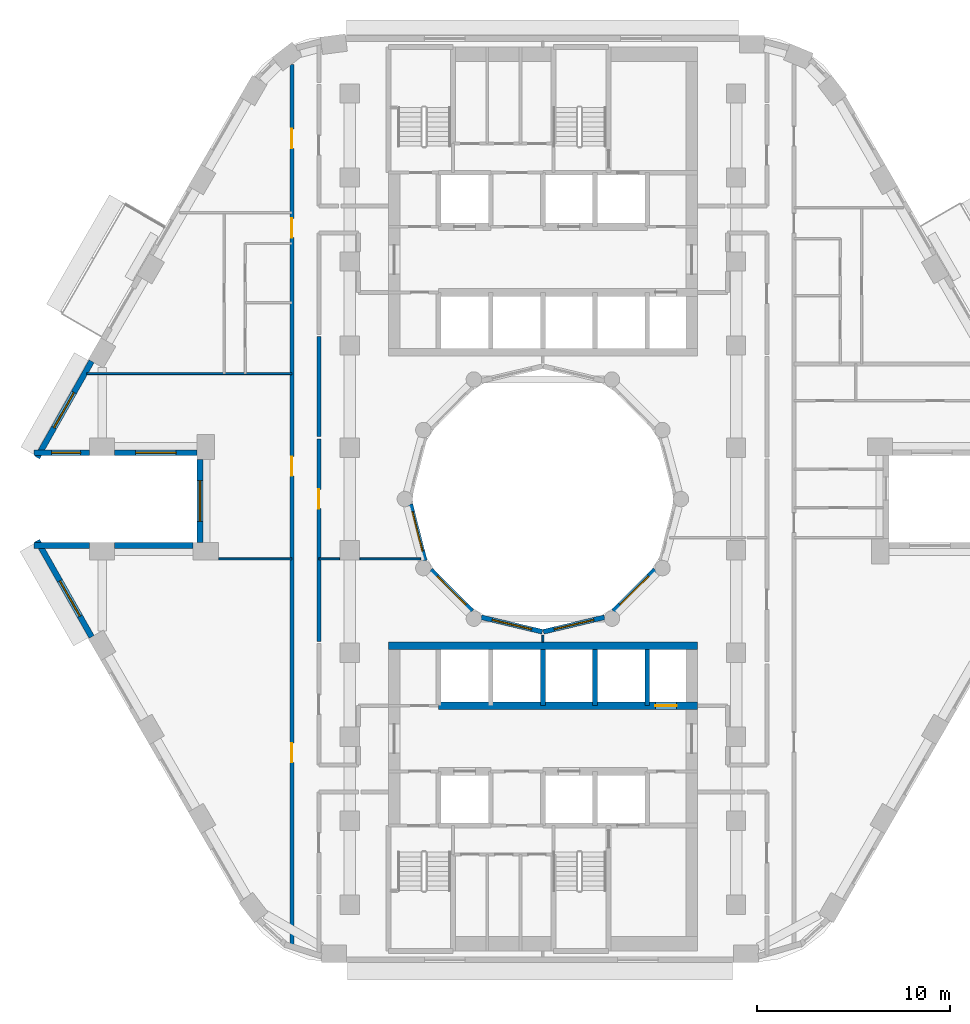
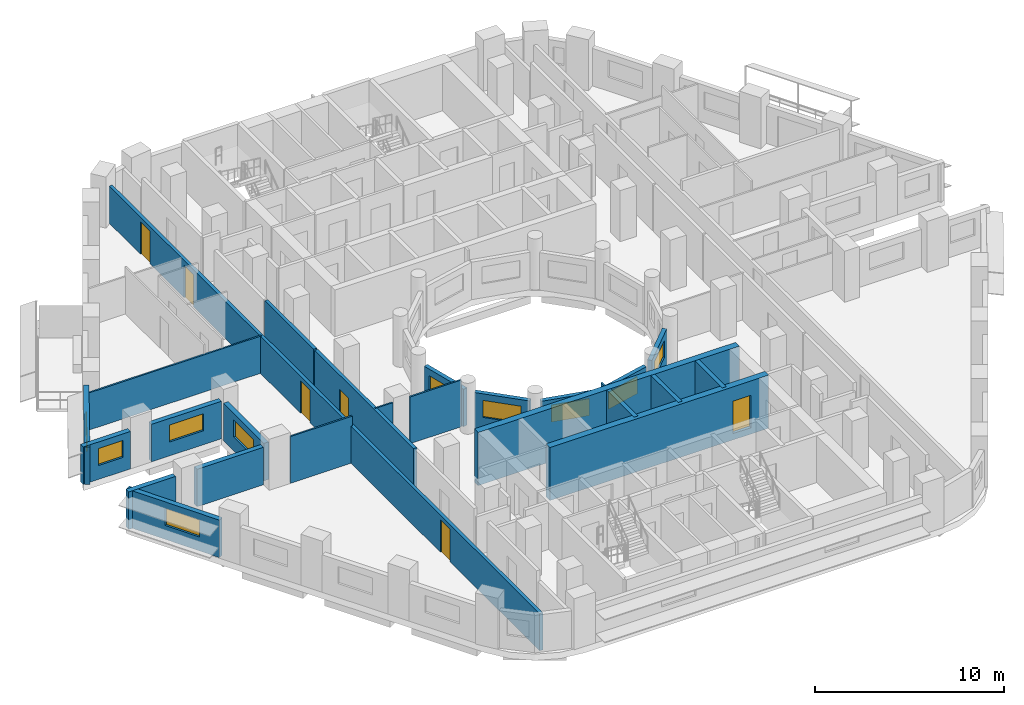
# One storey, part 4 of 14: 25 walls, 10 windows, 6 doors, 16 openings.
"""IFC4 building model written with IfcOpenShell, lengths in metres."""

from ifc_helpers import new_model, si_unit, direction, frame, frame_2d, origin, place, context, subcontext, project, spatial, rectangle, extrude, material, layer, layer_set, type_object, element, fill, save


model = new_model("IFC4")

# Units and contexts
model_context = context("Model", 3, precision=1e-05, world=origin(), true_north=direction((0.0, 1.0)))
body_context = subcontext(model_context, "Body", "Model", "MODEL_VIEW")
ifc_project = project(units=[si_unit("LENGTHUNIT", "METRE"), si_unit("AREAUNIT", "SQUARE_METRE"), si_unit("VOLUMEUNIT", "CUBIC_METRE"), si_unit("PLANEANGLEUNIT", "RADIAN"), si_unit("MASSUNIT", "GRAM", prefix="KILO")], contexts=[model_context])

# Site, building, storey
site_placement = place(None, origin())
site = spatial("IfcSite", under=ifc_project, at=site_placement, CompositionType="ELEMENT")
building_placement = place(site_placement, origin())
building = spatial("IfcBuilding", under=site, at=building_placement, Name="Nakaniwa Court", CompositionType="ELEMENT")
storey_placement = place(building_placement, frame((0.0, 0.0, 127.199951171875)))
storey = spatial("IfcBuildingStorey", under=building, at=storey_placement, Name="L32", CompositionType="ELEMENT", Elevation=127.199951171875)

# Wall, opening, door
ifc_material_1 = material(Name="Acoustic double stud partition")
ifc_layer_1 = layer(ifc_material_1, 0.199951171875)
ifc_layer_set_1 = layer_set([ifc_layer_1], Name="Acoustic double stud partition")
wall_type_1 = type_object("IfcWallType", Name="Acoustic double stud partition 200", PredefinedType="PARTITIONING", material=ifc_layer_set_1)
wall_1_placement = place(storey_placement, frame((68.39990234375, 83.11279296875, 0.0), z_axis=(0.0, 0.0, 1.0), x_axis=(0.0, -1.0, 0.0)))
wall_1 = element("IfcWall", 1, at=wall_1_placement, inside=storey, type_object=wall_type_1, Name="Partition PW-105", PredefinedType="PARTITIONING", context=body_context, shape_type="SweptSolid", body=[
    extrude(rectangle(XDim=10.485595703125, YDim=0.199951171875, at=frame_2d((5.24267578125, 0.0))), origin(), (0.0, 0.0, 1.0), 3.025146484375),
])
opening_1_placement = place(wall_1_placement, frame((2.60791015625, 0.0, 0.0)))
opening_1 = element("IfcOpeningElement", 2, at=opening_1_placement, cuts=wall_1, Name="Opening D-02-08", PredefinedType="OPENING", context=body_context, shape_type="SweptSolid", body=[
    extrude(rectangle(XDim=1.0, YDim=2.10009765625, at=frame_2d((0.5, 1.050048828125))), frame((0.0, 0.10986328125, 0.0), z_axis=(0.0, -1.0, 0.0), x_axis=(1.0, 0.0, 0.0)), (0.0, 0.0, 1.0), 0.219970703125),
])
ifc_material_2 = material(Name="Solid core timber door set, black veneer", Category="wood")
door_type_1 = type_object("IfcDoorType", Name="Internal door 1000", OperationType="NOTDEFINED", PredefinedType="DOOR", material=ifc_material_2)
door_1_placement = place(opening_1_placement, origin())
door_1 = element("IfcDoor", 3, at=door_1_placement, inside=storey, type_object=door_type_1, Name="Door D-02-08 L32-037", OperationType="SINGLE_SWING_RIGHT", OverallHeight=2.10009765625, OverallWidth=1.0, PredefinedType="DOOR", context=body_context, shape_type="SweptSolid", body=[
    extrude(rectangle(XDim=1.0, YDim=2.10009765625, at=frame_2d((0.5, 1.050048828125))), frame((0.0, 0.02490234375, 0.0), z_axis=(0.0, -1.0, 0.0), x_axis=(1.0, 0.0, 0.0)), (0.0, 0.0, 1.0), 0.050048828125),
])
fill(opening_1, door_1)

# Wall
wall_2_placement = place(storey_placement, frame((68.39990234375, 83.227294921875, 0.0), z_axis=(0.0, 0.0, 1.0), x_axis=(0.0, 1.0, 0.0)))
element("IfcWall", 4, at=wall_2_placement, inside=storey, type_object=wall_type_1, Name="Partition PW-106", PredefinedType="PARTITIONING", context=body_context, shape_type="SweptSolid", body=[
    extrude(rectangle(XDim=5.185546875, YDim=0.199951171875, at=frame_2d((2.5927734375, 0.0))), origin(), (0.0, 0.0, 1.0), 3.025146484375),
])

# Wall, openings, doors
wall_3_placement = place(storey_placement, frame((67.0, 56.833251953125, 0.0), z_axis=(0.0, 0.0, 1.0), x_axis=(0.0, 1.0, 0.0)))
wall_3 = element("IfcWall", 5, at=wall_3_placement, inside=storey, type_object=wall_type_1, Name="Partition PW-110", PredefinedType="PARTITIONING", context=body_context, shape_type="SweptSolid", body=[
    extrude(rectangle(XDim=45.660888671875, YDim=0.199951171875, at=frame_2d((22.83056640625, 0.0))), origin(), (0.0, 0.0, 1.0), 2.405029296875),
])
opening_2_placement = place(wall_3_placement, frame((9.533935546875, 0.0, 0.0)))
opening_2 = element("IfcOpeningElement", 6, at=opening_2_placement, cuts=wall_3, Name="Opening D-02-06", PredefinedType="OPENING", context=body_context, shape_type="SweptSolid", body=[
    extrude(rectangle(XDim=1.0, YDim=2.10009765625, at=frame_2d((0.5, 1.050048828125))), frame((0.0, 0.10986328125, 0.0), z_axis=(0.0, -1.0, 0.0), x_axis=(1.0, 0.0, 0.0)), (0.0, 0.0, 1.0), 0.219970703125),
])
opening_3_placement = place(wall_3_placement, frame((24.366943359375, 0.0, 0.0)))
opening_3 = element("IfcOpeningElement", 7, at=opening_3_placement, cuts=wall_3, Name="Opening D-02-07", PredefinedType="OPENING", context=body_context, shape_type="SweptSolid", body=[
    extrude(rectangle(XDim=1.0, YDim=2.10009765625, at=frame_2d((0.5, 1.050048828125))), frame((0.0, 0.10986328125, 0.0), z_axis=(0.0, -1.0, 0.0), x_axis=(1.0, 0.0, 0.0)), (0.0, 0.0, 1.0), 0.219970703125),
])
opening_4_placement = place(wall_3_placement, frame((36.699951171875, 0.0, 0.0)))
opening_4 = element("IfcOpeningElement", 8, at=opening_4_placement, cuts=wall_3, Name="Opening D-01-03", PredefinedType="OPENING", context=body_context, shape_type="SweptSolid", body=[
    extrude(rectangle(XDim=1.0, YDim=2.10009765625, at=frame_2d((0.5, 1.050048828125))), frame((0.0, 0.10986328125, 0.0), z_axis=(0.0, -1.0, 0.0), x_axis=(1.0, 0.0, 0.0)), (0.0, 0.0, 1.0), 0.219970703125),
])
opening_5_placement = place(wall_3_placement, frame((41.327880859375, 0.0, 0.0)))
opening_5 = element("IfcOpeningElement", 9, at=opening_5_placement, cuts=wall_3, Name="Opening D-02-13", PredefinedType="OPENING", context=body_context, shape_type="SweptSolid", body=[
    extrude(rectangle(XDim=1.0, YDim=2.10009765625, at=frame_2d((0.5, 1.050048828125))), frame((0.0, 0.10986328125, 0.0), z_axis=(0.0, -1.0, 0.0), x_axis=(1.0, 0.0, 0.0)), (0.0, 0.0, 1.0), 0.219970703125),
])
door_type_2 = type_object("IfcDoorType", Name="Flat entrance door 1000", OperationType="NOTDEFINED", PredefinedType="DOOR", material=ifc_material_2)
door_2_placement = place(opening_4_placement, origin())
door_2 = element("IfcDoor", 10, at=door_2_placement, inside=storey, type_object=door_type_2, Name="Door D-01-03 L32-038", OperationType="SINGLE_SWING_LEFT", OverallHeight=2.10009765625, OverallWidth=1.0, PredefinedType="DOOR", context=body_context, shape_type="SweptSolid", body=[
    extrude(rectangle(XDim=1.0, YDim=2.10009765625, at=frame_2d((0.5, 1.050048828125))), frame((0.0, 0.02490234375, 0.0), z_axis=(0.0, -1.0, 0.0), x_axis=(1.0, 0.0, 0.0)), (0.0, 0.0, 1.0), 0.050048828125),
])
fill(opening_4, door_2)
door_3_placement = place(opening_2_placement, origin())
door_3 = element("IfcDoor", 11, at=door_3_placement, inside=storey, type_object=door_type_1, Name="Door D-02-06 L32-035", OperationType="SINGLE_SWING_RIGHT", OverallHeight=2.10009765625, OverallWidth=1.0, PredefinedType="DOOR", context=body_context, shape_type="SweptSolid", body=[
    extrude(rectangle(XDim=1.0, YDim=2.10009765625, at=frame_2d((0.5, 1.050048828125))), frame((0.0, 0.02490234375, 0.0), z_axis=(0.0, -1.0, 0.0), x_axis=(1.0, 0.0, 0.0)), (0.0, 0.0, 1.0), 0.050048828125),
])
fill(opening_2, door_3)
door_4_placement = place(opening_3_placement, origin())
door_4 = element("IfcDoor", 12, at=door_4_placement, inside=storey, type_object=door_type_1, Name="Door D-02-07 L32-036", OperationType="SINGLE_SWING_LEFT", OverallHeight=2.10009765625, OverallWidth=1.0, PredefinedType="DOOR", context=body_context, shape_type="SweptSolid", body=[
    extrude(rectangle(XDim=1.0, YDim=2.10009765625, at=frame_2d((0.5, 1.050048828125))), frame((0.0, 0.02490234375, 0.0), z_axis=(0.0, -1.0, 0.0), x_axis=(1.0, 0.0, 0.0)), (0.0, 0.0, 1.0), 0.050048828125),
])
fill(opening_3, door_4)
door_5_placement = place(opening_5_placement, origin())
door_5 = element("IfcDoor", 13, at=door_5_placement, inside=storey, type_object=door_type_1, Name="Door D-02-13 L32-046", OperationType="SINGLE_SWING_LEFT", OverallHeight=2.10009765625, OverallWidth=1.0, PredefinedType="DOOR", context=body_context, shape_type="SweptSolid", body=[
    extrude(rectangle(XDim=1.0, YDim=2.10009765625, at=frame_2d((0.5, 1.050048828125))), frame((0.0, 0.02490234375, 0.0), z_axis=(0.0, -1.0, 0.0), x_axis=(1.0, 0.0, 0.0)), (0.0, 0.0, 1.0), 0.050048828125),
])
fill(opening_5, door_5)

# Wall, opening, window
ifc_material_3 = material(Name="Charcoal ceramic cladding")
ifc_layer_2 = layer(ifc_material_3, 0.02, Name="Ceramic cladding")
ifc_material_4 = material(Name="Ventilated air cavity")
ifc_layer_3 = layer(ifc_material_4, 0.04, ventilated=True, Name="Ventilated cavity")
ifc_material_5 = material(Name="Mineral wool insulation")
ifc_layer_4 = layer(ifc_material_5, 0.1, Name="Insulation")
ifc_material_6 = material(Name="Cement bonded sheathing board")
ifc_layer_5 = layer(ifc_material_6, 0.012, Name="Sheathing")
ifc_material_7 = material(Name="Cold-formed galvanised stud frame with mineral wool infill")
ifc_layer_6 = layer(ifc_material_7, 0.1, Name="Stud frame")
ifc_material_8 = material(Name="Fire-rated gypsum plasterboard lining")
ifc_layer_7 = layer(ifc_material_8, 0.028, Name="Lining")
ifc_layer_set_2 = layer_set([ifc_layer_2, ifc_layer_3, ifc_layer_4, ifc_layer_5, ifc_layer_6, ifc_layer_7], Name="Charcoal ceramic faced external wall system")
wall_type_2 = type_object("IfcWallType", Name="Black ceramic faced external wall 300", PredefinedType="SOLIDWALL", material=ifc_layer_set_2)
wall_4_placement = place(storey_placement, frame((56.63427734375, 87.13720703125, 0.0), z_axis=(0.0, 0.0, 1.0), x_axis=(-0.492498306264, -0.87031340236, 0.0)))
wall_4 = element("IfcWall", 14, at=wall_4_placement, inside=storey, type_object=wall_type_2, Name="L32 external wall 14", PredefinedType="SOLIDWALL", context=body_context, shape_type="SweptSolid", body=[
    extrude(rectangle(XDim=5.7265625, YDim=0.300048828125, at=frame_2d((2.86328125, 0.0))), origin(), (0.0, 0.0, 1.0), 2.425048828125),
])
opening_6_placement = place(wall_4_placement, frame((1.85498046875, 0.0, 0.89990234375)))
opening_6 = element("IfcOpeningElement", 15, at=opening_6_placement, cuts=wall_4, Name="Opening W7.15", PredefinedType="OPENING", context=body_context, shape_type="SweptSolid", body=[
    extrude(rectangle(XDim=2.10009765625, YDim=1.10009765625, at=frame_2d((1.050048828125, 0.550048828125))), frame((0.0, 0.159912109375, 0.0), z_axis=(0.0, -1.0, 0.0), x_axis=(1.0, 0.0, 0.0)), (0.0, 0.0, 1.0), 0.320068359375),
])
ifc_material_9 = material(Name="Black anodised aluminium frame with dark low-E laminated double glazing", Category="aluminium")
window_type_1 = type_object("IfcWindowType", Name="Dark glass window 2100x1100 sill 900", PartitioningType="SINGLE_PANEL", PredefinedType="WINDOW", material=ifc_material_9)
window_1_placement = place(opening_6_placement, origin())
window_1 = element("IfcWindow", 16, at=window_1_placement, inside=storey, type_object=window_type_1, Name="L32 habitable room window 14-1", OverallHeight=1.10009765625, OverallWidth=2.10009765625, PartitioningType="SINGLE_PANEL", PredefinedType="WINDOW", context=body_context, shape_type="SweptSolid", body=[
    extrude(rectangle(XDim=2.10009765625, YDim=1.10009765625, at=frame_2d((1.050048828125, 0.550048828125))), frame((0.0, 0.030029296875, 0.0), z_axis=(0.0, -1.0, 0.0), x_axis=(1.0, 0.0, 0.0)), (0.0, 0.0, 1.0), 0.06005859375),
])
fill(opening_6, window_1)

wall_5_placement = place(storey_placement, frame((53.643310546875, 82.39990234375, 0.0), z_axis=(0.0, 0.0, 1.0), x_axis=(1.0, 0.0, 0.0)))
wall_5 = element("IfcWall", 17, at=wall_5_placement, inside=storey, type_object=wall_type_2, Name="L32 external wall 15", PredefinedType="SOLIDWALL", context=body_context, shape_type="SweptSolid", body=[
    extrude(rectangle(XDim=2.8876953125, YDim=0.300048828125, at=frame_2d((1.44384765625, 0.0))), origin(), (0.0, 0.0, 1.0), 2.425048828125),
])
opening_7_placement = place(wall_5_placement, frame((0.9189453125, 0.0, 0.89990234375)))
opening_7 = element("IfcOpeningElement", 18, at=opening_7_placement, cuts=wall_5, Name="Opening W5.16", PredefinedType="OPENING", context=body_context, shape_type="SweptSolid", body=[
    extrude(rectangle(XDim=1.5, YDim=1.10009765625, at=frame_2d((0.75, 0.550048828125))), frame((0.0, 0.159912109375, 0.0), z_axis=(0.0, -1.0, 0.0), x_axis=(1.0, 0.0, 0.0)), (0.0, 0.0, 1.0), 0.320068359375),
])
window_type_2 = type_object("IfcWindowType", Name="Dark glass window 1500x1100 sill 900", PartitioningType="SINGLE_PANEL", PredefinedType="WINDOW", material=ifc_material_9)
window_2_placement = place(opening_7_placement, origin())
window_2 = element("IfcWindow", 19, at=window_2_placement, inside=storey, type_object=window_type_2, Name="L32 habitable room window 15-0", OverallHeight=1.10009765625, OverallWidth=1.5, PartitioningType="SINGLE_PANEL", PredefinedType="WINDOW", context=body_context, shape_type="SweptSolid", body=[
    extrude(rectangle(XDim=1.5, YDim=1.10009765625, at=frame_2d((0.75, 0.550048828125))), frame((0.0, 0.030029296875, 0.0), z_axis=(0.0, -1.0, 0.0), x_axis=(1.0, 0.0, 0.0)), (0.0, 0.0, 1.0), 0.06005859375),
])
fill(opening_7, window_2)

wall_6_placement = place(storey_placement, frame((57.822998046875, 82.39990234375, 0.0), z_axis=(0.0, 0.0, 1.0), x_axis=(1.0, 0.0, 0.0)))
wall_6 = element("IfcWall", 20, at=wall_6_placement, inside=storey, type_object=wall_type_2, Name="L32 external wall 16", PredefinedType="SOLIDWALL", context=body_context, shape_type="SweptSolid", body=[
    extrude(rectangle(XDim=4.272705078125, YDim=0.300048828125, at=frame_2d((2.13623046875, 0.0))), origin(), (0.0, 0.0, 1.0), 2.425048828125),
])
opening_8_placement = place(wall_6_placement, frame((1.086181640625, 0.0, 0.89990234375)))
opening_8 = element("IfcOpeningElement", 21, at=opening_8_placement, cuts=wall_6, Name="Opening W7.17", PredefinedType="OPENING", context=body_context, shape_type="SweptSolid", body=[
    extrude(rectangle(XDim=2.10009765625, YDim=1.10009765625, at=frame_2d((1.050048828125, 0.550048828125))), frame((0.0, 0.159912109375, 0.0), z_axis=(0.0, -1.0, 0.0), x_axis=(1.0, 0.0, 0.0)), (0.0, 0.0, 1.0), 0.320068359375),
])
window_3_placement = place(opening_8_placement, origin())
window_3 = element("IfcWindow", 22, at=window_3_placement, inside=storey, type_object=window_type_1, Name="L32 habitable room window 16-0", OverallHeight=1.10009765625, OverallWidth=2.10009765625, PartitioningType="SINGLE_PANEL", PredefinedType="WINDOW", context=body_context, shape_type="SweptSolid", body=[
    extrude(rectangle(XDim=2.10009765625, YDim=1.10009765625, at=frame_2d((1.050048828125, 0.550048828125))), frame((0.0, 0.030029296875, 0.0), z_axis=(0.0, -1.0, 0.0), x_axis=(1.0, 0.0, 0.0)), (0.0, 0.0, 1.0), 0.06005859375),
])
fill(opening_8, window_3)

wall_7_placement = place(storey_placement, frame((62.24169921875, 82.053955078125, 0.0), z_axis=(0.0, 0.0, 1.0), x_axis=(0.0, -1.0, 0.0)))
wall_7 = element("IfcWall", 23, at=wall_7_placement, inside=storey, type_object=wall_type_2, Name="L32 external wall 17", PredefinedType="SOLIDWALL", context=body_context, shape_type="SweptSolid", body=[
    extrude(rectangle(XDim=4.307861328125, YDim=0.300048828125, at=frame_2d((2.15380859375, 0.0))), origin(), (0.0, 0.0, 1.0), 2.425048828125),
])
opening_9_placement = place(wall_7_placement, frame((1.10400390625, 0.0, 0.89990234375)))
opening_9 = element("IfcOpeningElement", 24, at=opening_9_placement, cuts=wall_7, Name="Opening W7.18", PredefinedType="OPENING", context=body_context, shape_type="SweptSolid", body=[
    extrude(rectangle(XDim=2.10009765625, YDim=1.10009765625, at=frame_2d((1.050048828125, 0.550048828125))), frame((0.0, 0.159912109375, 0.0), z_axis=(0.0, -1.0, 0.0), x_axis=(1.0, 0.0, 0.0)), (0.0, 0.0, 1.0), 0.320068359375),
])
window_4_placement = place(opening_9_placement, origin())
window_4 = element("IfcWindow", 25, at=window_4_placement, inside=storey, type_object=window_type_1, Name="L32 habitable room window 17-0", OverallHeight=1.10009765625, OverallWidth=2.10009765625, PartitioningType="SINGLE_PANEL", PredefinedType="WINDOW", context=body_context, shape_type="SweptSolid", body=[
    extrude(rectangle(XDim=2.10009765625, YDim=1.10009765625, at=frame_2d((1.050048828125, 0.550048828125))), frame((0.0, 0.030029296875, 0.0), z_axis=(0.0, -1.0, 0.0), x_axis=(1.0, 0.0, 0.0)), (0.0, 0.0, 1.0), 0.06005859375),
])
fill(opening_9, window_4)

# Walls
wall_8_placement = place(storey_placement, frame((61.8955078125, 77.60009765625, 0.0), z_axis=(0.0, 0.0, 1.0), x_axis=(-1.0, 0.0, 0.0)))
element("IfcWall", 26, at=wall_8_placement, inside=storey, type_object=wall_type_2, Name="L32 external wall 18", PredefinedType="SOLIDWALL", context=body_context, shape_type="SweptSolid", body=[
    extrude(rectangle(XDim=4.072509765625, YDim=0.300048828125, at=frame_2d((2.0361328125, 0.0))), origin(), (0.0, 0.0, 1.0), 2.425048828125),
])
wall_9_placement = place(storey_placement, frame((56.531005859375, 77.60009765625, 0.0), z_axis=(0.0, 0.0, 1.0), x_axis=(-1.0, 0.0, 0.0)))
element("IfcWall", 27, at=wall_9_placement, inside=storey, type_object=wall_type_2, Name="L32 external wall 19", PredefinedType="SOLIDWALL", context=body_context, shape_type="SweptSolid", body=[
    extrude(rectangle(XDim=2.8876953125, YDim=0.300048828125, at=frame_2d((1.44384765625, 0.0))), origin(), (0.0, 0.0, 1.0), 2.425048828125),
])

# Wall, opening, window
wall_10_placement = place(storey_placement, frame((53.81396484375, 77.8466796875, 0.0), z_axis=(0.0, 0.0, 1.0), x_axis=(0.492498306264, -0.87031340236, 0.0)))
wall_10 = element("IfcWall", 28, at=wall_10_placement, inside=storey, type_object=wall_type_2, Name="L32 external wall 20", PredefinedType="SOLIDWALL", context=body_context, shape_type="SweptSolid", body=[
    extrude(rectangle(XDim=5.7265625, YDim=0.300048828125, at=frame_2d((2.86328125, 0.0))), origin(), (0.0, 0.0, 1.0), 2.425048828125),
])
opening_10_placement = place(wall_10_placement, frame((2.392333984375, 0.0, 0.89990234375)))
opening_10 = element("IfcOpeningElement", 29, at=opening_10_placement, cuts=wall_10, Name="Opening W7.19", PredefinedType="OPENING", context=body_context, shape_type="SweptSolid", body=[
    extrude(rectangle(XDim=2.10009765625, YDim=1.10009765625, at=frame_2d((1.050048828125, 0.550048828125))), frame((0.0, 0.159912109375, 0.0), z_axis=(0.0, -1.0, 0.0), x_axis=(1.0, 0.0, 0.0)), (0.0, 0.0, 1.0), 0.320068359375),
])
window_5_placement = place(opening_10_placement, origin())
window_5 = element("IfcWindow", 30, at=window_5_placement, inside=storey, type_object=window_type_1, Name="L32 habitable room window 20-0", OverallHeight=1.10009765625, OverallWidth=2.10009765625, PartitioningType="SINGLE_PANEL", PredefinedType="WINDOW", context=body_context, shape_type="SweptSolid", body=[
    extrude(rectangle(XDim=2.10009765625, YDim=1.10009765625, at=frame_2d((1.050048828125, 0.550048828125))), frame((0.0, 0.030029296875, 0.0), z_axis=(0.0, -1.0, 0.0), x_axis=(1.0, 0.0, 0.0)), (0.0, 0.0, 1.0), 0.06005859375),
])
fill(opening_10, window_5)

ifc_layer_8 = layer(ifc_material_3, 0.02, Name="Ceramic cladding")
ifc_layer_9 = layer(ifc_material_4, 0.04, ventilated=True, Name="Ventilated cavity")
ifc_layer_10 = layer(ifc_material_5, 0.075, Name="Insulation")
ifc_layer_11 = layer(ifc_material_6, 0.012, Name="Sheathing")
ifc_layer_12 = layer(ifc_material_7, 0.075, Name="Stud frame")
ifc_layer_13 = layer(ifc_material_8, 0.028, Name="Lining")
ifc_layer_set_3 = layer_set([ifc_layer_8, ifc_layer_9, ifc_layer_10, ifc_layer_11, ifc_layer_12, ifc_layer_13], Name="Charcoal ceramic faced external wall system")
wall_type_3 = type_object("IfcWallType", Name="Charcoal ceramic faced well wall 250", PredefinedType="SOLIDWALL", material=ifc_layer_set_3)
wall_11_placement = place(storey_placement, frame((85.8056640625, 76.339111328125, 0.0), z_axis=(0.0, 0.0, 1.0), x_axis=(-0.707106781187, -0.707106781187, 0.0)))
wall_11 = element("IfcWall", 31, at=wall_11_placement, inside=storey, type_object=wall_type_3, Name="L32 external wall 37", PredefinedType="SOLIDWALL", context=body_context, shape_type="SweptSolid", body=[
    extrude(rectangle(XDim=3.033203125, YDim=0.25, at=frame_2d((1.5166015625, 0.0))), origin(), (0.0, 0.0, 1.0), 2.425048828125),
])
opening_11_placement = place(wall_11_placement, frame((0.466552734375, 0.0, 0.89990234375)))
opening_11 = element("IfcOpeningElement", 32, at=opening_11_placement, cuts=wall_11, Name="Opening W7.36", PredefinedType="OPENING", context=body_context, shape_type="SweptSolid", body=[
    extrude(rectangle(XDim=2.10009765625, YDim=1.10009765625, at=frame_2d((1.050048828125, 0.550048828125))), frame((0.0, 0.135009765625, 0.0), z_axis=(0.0, -1.0, 0.0), x_axis=(1.0, 0.0, 0.0)), (0.0, 0.0, 1.0), 0.27001953125),
])
window_6_placement = place(opening_11_placement, origin())
window_6 = element("IfcWindow", 33, at=window_6_placement, inside=storey, type_object=window_type_1, Name="L32 habitable room window 37-0", OverallHeight=1.10009765625, OverallWidth=2.10009765625, PartitioningType="SINGLE_PANEL", PredefinedType="WINDOW", context=body_context, shape_type="SweptSolid", body=[
    extrude(rectangle(XDim=2.10009765625, YDim=1.10009765625, at=frame_2d((1.050048828125, 0.550048828125))), frame((0.0, 0.030029296875, 0.0), z_axis=(0.0, -1.0, 0.0), x_axis=(1.0, 0.0, 0.0)), (0.0, 0.0, 1.0), 0.06005859375),
])
fill(opening_11, window_6)

wall_12_placement = place(storey_placement, frame((83.186279296875, 73.880615234375, 0.0), z_axis=(0.0, 0.0, 1.0), x_axis=(-0.972773113459, -0.231759508395, 0.0)))
wall_12 = element("IfcWall", 34, at=wall_12_placement, inside=storey, type_object=wall_type_3, Name="L32 external wall 38", PredefinedType="SOLIDWALL", context=body_context, shape_type="SweptSolid", body=[
    extrude(rectangle(XDim=3.24560546875, YDim=0.25, at=frame_2d((1.622802734375, 0.0))), origin(), (0.0, 0.0, 1.0), 2.425048828125),
])
opening_12_placement = place(wall_12_placement, frame((0.57275390625, 0.0, 0.89990234375)))
opening_12 = element("IfcOpeningElement", 35, at=opening_12_placement, cuts=wall_12, Name="Opening W7.37", PredefinedType="OPENING", context=body_context, shape_type="SweptSolid", body=[
    extrude(rectangle(XDim=2.10009765625, YDim=1.10009765625, at=frame_2d((1.050048828125, 0.550048828125))), frame((0.0, 0.135009765625, 0.0), z_axis=(0.0, -1.0, 0.0), x_axis=(1.0, 0.0, 0.0)), (0.0, 0.0, 1.0), 0.27001953125),
])
window_7_placement = place(opening_12_placement, origin())
window_7 = element("IfcWindow", 36, at=window_7_placement, inside=storey, type_object=window_type_1, Name="L32 habitable room window 38-0", OverallHeight=1.10009765625, OverallWidth=2.10009765625, PartitioningType="SINGLE_PANEL", PredefinedType="WINDOW", context=body_context, shape_type="SweptSolid", body=[
    extrude(rectangle(XDim=2.10009765625, YDim=1.10009765625, at=frame_2d((1.050048828125, 0.550048828125))), frame((0.0, 0.030029296875, 0.0), z_axis=(0.0, -1.0, 0.0), x_axis=(1.0, 0.0, 0.0)), (0.0, 0.0, 1.0), 0.06005859375),
])
fill(opening_12, window_7)

wall_13_placement = place(storey_placement, frame((79.970947265625, 73.12841796875, 0.0), z_axis=(0.0, 0.0, 1.0), x_axis=(-0.972773113459, 0.231759508395, 0.0)))
wall_13 = element("IfcWall", 37, at=wall_13_placement, inside=storey, type_object=wall_type_3, Name="L32 external wall 39", PredefinedType="SOLIDWALL", context=body_context, shape_type="SweptSolid", body=[
    extrude(rectangle(XDim=3.24560546875, YDim=0.25, at=frame_2d((1.622802734375, 0.0))), origin(), (0.0, 0.0, 1.0), 2.425048828125),
])
opening_13_placement = place(wall_13_placement, frame((0.57275390625, 0.0, 0.89990234375)))
opening_13 = element("IfcOpeningElement", 38, at=opening_13_placement, cuts=wall_13, Name="Opening W7.38", PredefinedType="OPENING", context=body_context, shape_type="SweptSolid", body=[
    extrude(rectangle(XDim=2.10009765625, YDim=1.10009765625, at=frame_2d((1.050048828125, 0.550048828125))), frame((0.0, 0.135009765625, 0.0), z_axis=(0.0, -1.0, 0.0), x_axis=(1.0, 0.0, 0.0)), (0.0, 0.0, 1.0), 0.27001953125),
])
window_8_placement = place(opening_13_placement, origin())
window_8 = element("IfcWindow", 39, at=window_8_placement, inside=storey, type_object=window_type_1, Name="L32 habitable room window 39-0", OverallHeight=1.10009765625, OverallWidth=2.10009765625, PartitioningType="SINGLE_PANEL", PredefinedType="WINDOW", context=body_context, shape_type="SweptSolid", body=[
    extrude(rectangle(XDim=2.10009765625, YDim=1.10009765625, at=frame_2d((1.050048828125, 0.550048828125))), frame((0.0, 0.030029296875, 0.0), z_axis=(0.0, -1.0, 0.0), x_axis=(1.0, 0.0, 0.0)), (0.0, 0.0, 1.0), 0.06005859375),
])
fill(opening_13, window_8)

wall_14_placement = place(storey_placement, frame((76.339111328125, 74.1943359375, 0.0), z_axis=(0.0, 0.0, 1.0), x_axis=(-0.707106781187, 0.707106781187, 0.0)))
wall_14 = element("IfcWall", 40, at=wall_14_placement, inside=storey, type_object=wall_type_3, Name="L32 external wall 40", PredefinedType="SOLIDWALL", context=body_context, shape_type="SweptSolid", body=[
    extrude(rectangle(XDim=3.033203125, YDim=0.25, at=frame_2d((1.5166015625, 0.0))), origin(), (0.0, 0.0, 1.0), 2.425048828125),
])
opening_14_placement = place(wall_14_placement, frame((0.466552734375, 0.0, 0.89990234375)))
opening_14 = element("IfcOpeningElement", 41, at=opening_14_placement, cuts=wall_14, Name="Opening W7.39", PredefinedType="OPENING", context=body_context, shape_type="SweptSolid", body=[
    extrude(rectangle(XDim=2.10009765625, YDim=1.10009765625, at=frame_2d((1.050048828125, 0.550048828125))), frame((0.0, 0.135009765625, 0.0), z_axis=(0.0, -1.0, 0.0), x_axis=(1.0, 0.0, 0.0)), (0.0, 0.0, 1.0), 0.27001953125),
])
window_9_placement = place(opening_14_placement, origin())
window_9 = element("IfcWindow", 42, at=window_9_placement, inside=storey, type_object=window_type_1, Name="L32 habitable room window 40-0", OverallHeight=1.10009765625, OverallWidth=2.10009765625, PartitioningType="SINGLE_PANEL", PredefinedType="WINDOW", context=body_context, shape_type="SweptSolid", body=[
    extrude(rectangle(XDim=2.10009765625, YDim=1.10009765625, at=frame_2d((1.050048828125, 0.550048828125))), frame((0.0, 0.030029296875, 0.0), z_axis=(0.0, -1.0, 0.0), x_axis=(1.0, 0.0, 0.0)), (0.0, 0.0, 1.0), 0.06005859375),
])
fill(opening_14, window_9)

wall_15_placement = place(storey_placement, frame((73.88330078125, 76.813232421875, 0.0), z_axis=(0.0, 0.0, 1.0), x_axis=(-0.247055971283, 0.969001211069, 0.0)))
wall_15 = element("IfcWall", 43, at=wall_15_placement, inside=storey, type_object=wall_type_3, Name="L32 external wall 41", PredefinedType="SOLIDWALL", context=body_context, shape_type="SweptSolid", body=[
    extrude(rectangle(XDim=3.010009765625, YDim=0.25, at=frame_2d((1.5048828125, 0.0))), origin(), (0.0, 0.0, 1.0), 2.425048828125),
])
opening_15_placement = place(wall_15_placement, frame((0.509521484375, 0.0, 0.89990234375)))
opening_15 = element("IfcOpeningElement", 44, at=opening_15_placement, cuts=wall_15, Name="Opening W7.40", PredefinedType="OPENING", context=body_context, shape_type="SweptSolid", body=[
    extrude(rectangle(XDim=2.10009765625, YDim=1.10009765625, at=frame_2d((1.050048828125, 0.550048828125))), frame((0.0, 0.135009765625, 0.0), z_axis=(0.0, -1.0, 0.0), x_axis=(1.0, 0.0, 0.0)), (0.0, 0.0, 1.0), 0.27001953125),
])
window_10_placement = place(opening_15_placement, origin())
window_10 = element("IfcWindow", 45, at=window_10_placement, inside=storey, type_object=window_type_1, Name="L32 habitable room window 41-1", OverallHeight=1.10009765625, OverallWidth=2.10009765625, PartitioningType="SINGLE_PANEL", PredefinedType="WINDOW", context=body_context, shape_type="SweptSolid", body=[
    extrude(rectangle(XDim=2.10009765625, YDim=1.10009765625, at=frame_2d((1.050048828125, 0.550048828125))), frame((0.0, 0.030029296875, 0.0), z_axis=(0.0, -1.0, 0.0), x_axis=(1.0, 0.0, 0.0)), (0.0, 0.0, 1.0), 0.06005859375),
])
fill(opening_15, window_10)

# Wall, opening, door
ifc_material_10 = material(Name="Concrete C80/100", Category="concrete")
ifc_layer_14 = layer(ifc_material_10, 0.39990234375)
ifc_layer_set_4 = layer_set([ifc_layer_14], Name="Concrete C80/100")
wall_type_4 = type_object("IfcWallType", Name="Concrete core spine wall 400 C80", PredefinedType="SHEAR", material=ifc_layer_set_4)
wall_16_placement = place(storey_placement, frame((74.60009765625, 69.300048828125, -0.409912109375), z_axis=(0.0, 0.0, 1.0), x_axis=(1.0, 0.0, 0.0)))
wall_16 = element("IfcWall", 46, at=wall_16_placement, inside=storey, type_object=wall_type_4, Name="Core wall SW-43", PredefinedType="SHEAR", context=body_context, shape_type="SweptSolid", body=[
    extrude(rectangle(XDim=13.39990234375, YDim=0.39990234375, at=frame_2d((6.699951171875, 0.0))), origin(), (0.0, 0.0, 1.0), 3.43505859375),
])
opening_16_placement = place(wall_16_placement, frame((11.22509765625, 0.0, 0.409912109375)))
opening_16 = element("IfcOpeningElement", 47, at=opening_16_placement, cuts=wall_16, Name="Opening LD05", PredefinedType="OPENING", context=body_context, shape_type="SweptSolid", body=[
    extrude(rectangle(XDim=1.10009765625, YDim=2.10009765625, at=frame_2d((0.550048828125, 1.050048828125))), frame((0.0, 0.2099609375, 0.0), z_axis=(0.0, -1.0, 0.0), x_axis=(1.0, 0.0, 0.0)), (0.0, 0.0, 1.0), 0.419921875),
])
ifc_material_11 = material(Name="Stainless steel sliding lift landing door", Category="steel")
door_type_3 = type_object("IfcDoorType", Name="Lift landing door 1100", OperationType="NOTDEFINED", PredefinedType="DOOR", material=ifc_material_11)
door_6_placement = place(opening_16_placement, origin())
door_6 = element("IfcDoor", 48, at=door_6_placement, inside=storey, type_object=door_type_3, Name="Lift landing door LD05 L32-005", OperationType="SLIDING_TO_LEFT", OverallHeight=2.10009765625, OverallWidth=1.10009765625, PredefinedType="DOOR", context=body_context, shape_type="SweptSolid", body=[
    extrude(rectangle(XDim=1.10009765625, YDim=2.10009765625, at=frame_2d((0.550048828125, 1.050048828125))), frame((0.0, 0.02490234375, 0.0), z_axis=(0.0, -1.0, 0.0), x_axis=(1.0, 0.0, 0.0)), (0.0, 0.0, 1.0), 0.050048828125),
])
fill(opening_16, door_6)

# Walls
ifc_layer_15 = layer(ifc_material_10, 0.39990234375)
ifc_layer_set_5 = layer_set([ifc_layer_15], Name="Concrete C80/100")
wall_type_5 = type_object("IfcWallType", Name="Concrete core well wall 400 C80", PredefinedType="SHEAR", material=ifc_layer_set_5)
wall_17_placement = place(storey_placement, frame((72.00390625, 72.39990234375, -0.409912109375), z_axis=(0.0, 0.0, 1.0), x_axis=(1.0, 0.0, 0.0)))
element("IfcWall", 49, at=wall_17_placement, inside=storey, type_object=wall_type_5, Name="Core wall SW-142", PredefinedType="SHEAR", context=body_context, shape_type="SweptSolid", body=[
    extrude(rectangle(XDim=15.9921875, YDim=0.39990234375, at=frame_2d((7.99609375, 0.0))), origin(), (0.0, 0.0, 1.0), 3.43505859375),
])
ifc_layer_16 = layer(ifc_material_10, 0.25)
ifc_layer_set_6 = layer_set([ifc_layer_16], Name="Concrete C80/100")
wall_type_6 = type_object("IfcWallType", Name="Concrete shaft wall 250 C80", PredefinedType="SHEAR", material=ifc_layer_set_6)
for number, where, z_axis, x_axis, name in (
    (50, (80.0, 69.300048828125, -0.409912109375), (0.0, 0.0, 1.0), (0.0, 1.0, 0.0), "Core wall SW-45"),
    (51, (82.699951171875, 69.300048828125, -0.409912109375), (0.0, 0.0, 1.0), (0.0, 1.0, 0.0), "Core wall SW-47"),
    (52, (85.39990234375, 69.300048828125, -0.409912109375), (0.0, 0.0, 1.0), (0.0, 1.0, 0.0), "Core wall SW-49"),
):
    element("IfcWall", number, at=place(storey_placement, frame(where, z_axis=z_axis, x_axis=x_axis)), inside=storey, type_object=wall_type_6, Name=name, PredefinedType="SHEAR", context=body_context, shape_type="SweptSolid", body=[
        extrude(rectangle(XDim=2.89990234375, YDim=0.25, at=frame_2d((1.449951171875, 0.0))), origin(), (0.0, 0.0, 1.0), 3.43505859375),
    ])
ifc_material_12 = material(Name="Single stud plasterboard partition")
ifc_layer_17 = layer(ifc_material_12, 0.10009765625)
ifc_layer_set_7 = layer_set([ifc_layer_17], Name="Single stud plasterboard partition")
wall_type_7 = type_object("IfcWallType", Name="Single stud plasterboard partition 100", PredefinedType="PARTITIONING", material=ifc_layer_set_7)
wall_18_placement = place(storey_placement, frame((80.0, 72.60009765625, 0.0), z_axis=(0.0, 0.0, 1.0), x_axis=(0.0, 1.0, 0.0)))
element("IfcWall", 53, at=wall_18_placement, inside=storey, type_object=wall_type_7, Name="Partition PW-116", PredefinedType="PARTITIONING", context=body_context, shape_type="SweptSolid", body=[
    extrude(rectangle(XDim=0.351806640625, YDim=0.10009765625, at=frame_2d((0.17578125, 0.0))), origin(), (0.0, 0.0, 1.0), 3.025146484375),
])
wall_19_placement = place(storey_placement, frame((63.211669921875, 76.89990234375, 0.0), z_axis=(0.0, 0.0, 1.0), x_axis=(1.0, 0.0, 0.0)))
element("IfcWall", 54, at=wall_19_placement, inside=storey, type_object=wall_type_7, Name="Partition PW-132", PredefinedType="PARTITIONING", context=body_context, shape_type="SweptSolid", body=[
    extrude(rectangle(XDim=3.787353515625, YDim=0.10009765625, at=frame_2d((1.8935546875, 0.0))), origin(), (0.0, 0.0, 1.0), 3.025146484375),
])
wall_20_placement = place(storey_placement, frame((68.40087890625, 76.89990234375, 0.0), z_axis=(0.0, 0.0, 1.0), x_axis=(1.0, 0.0, 0.0)))
element("IfcWall", 55, at=wall_20_placement, inside=storey, type_object=wall_type_7, Name="Partition PW-133", PredefinedType="PARTITIONING", context=body_context, shape_type="SweptSolid", body=[
    extrude(rectangle(XDim=1.0791015625, YDim=0.10009765625, at=frame_2d((0.53955078125, 0.0))), origin(), (0.0, 0.0, 1.0), 3.025146484375),
])
wall_21_placement = place(storey_placement, frame((70.52001953125, 76.89990234375, 0.0), z_axis=(0.0, 0.0, 1.0), x_axis=(1.0, 0.0, 0.0)))
element("IfcWall", 56, at=wall_21_placement, inside=storey, type_object=wall_type_7, Name="Partition PW-134", PredefinedType="PARTITIONING", context=body_context, shape_type="SweptSolid", body=[
    extrude(rectangle(XDim=3.15185546875, YDim=0.10009765625, at=frame_2d((1.575927734375, 0.0))), origin(), (0.0, 0.0, 1.0), 3.025146484375),
])
wall_22_placement = place(storey_placement, frame((56.386474609375, 86.5, 0.0), z_axis=(0.0, 0.0, 1.0), x_axis=(1.0, 0.0, 0.0)))
element("IfcWall", 57, at=wall_22_placement, inside=storey, type_object=wall_type_7, Name="Partition PW-135", PredefinedType="PARTITIONING", context=body_context, shape_type="SweptSolid", body=[
    extrude(rectangle(XDim=10.612548828125, YDim=0.10009765625, at=frame_2d((5.30615234375, 0.0))), origin(), (0.0, 0.0, 1.0), 2.405029296875),
])

save(model, "model.ifc")
